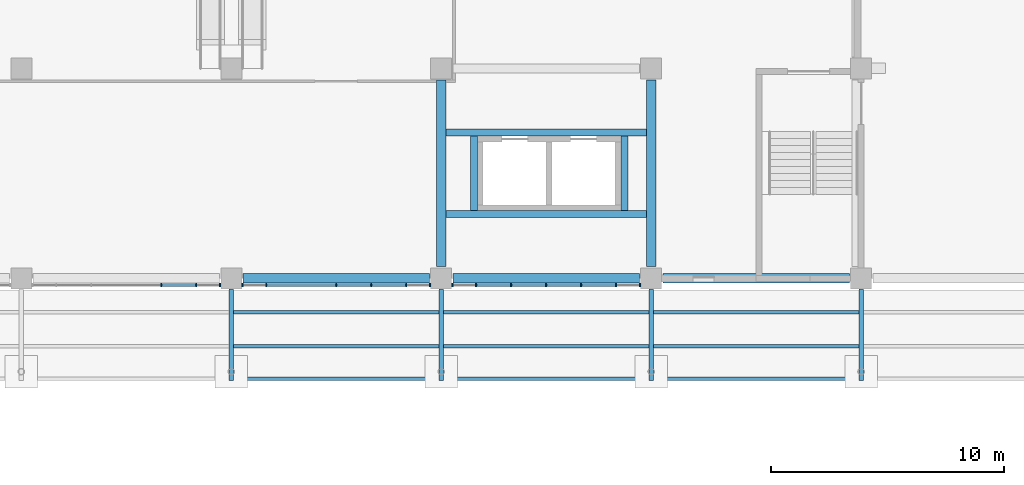
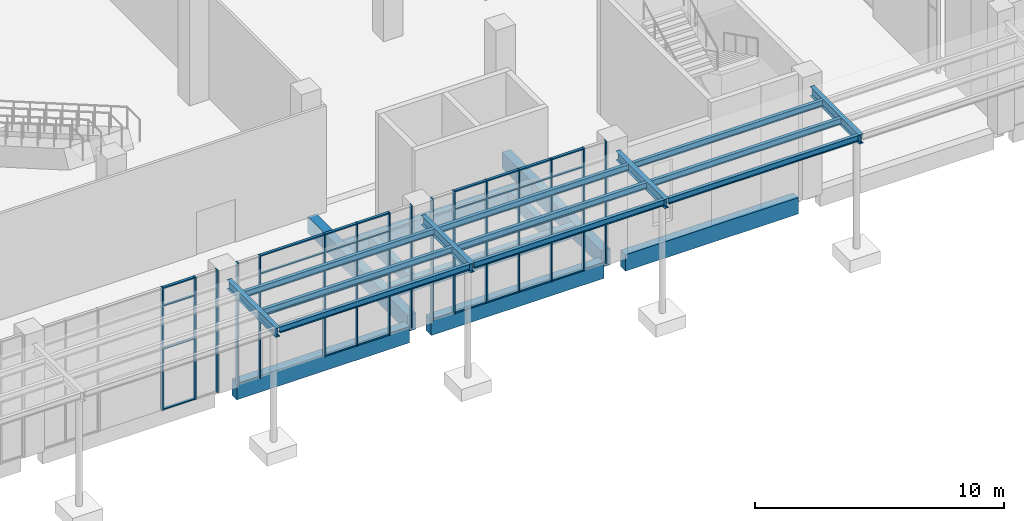
# One storey, part 11 of 86: 47 members, 22 beams, 3 elements without a shape of their own.
"""IFC4 building model written with IfcOpenShell, lengths in metres."""

from ifc_helpers import new_model, si_unit, direction, frame, origin, origin_2d, place, context, subcontext, project, spatial, rectangle, i_section, extrude, material, layer, layer_set, material_profile, profile_set, type_object, element, aggregate, save


model = new_model("IFC4")

# Units and contexts
model_context = context("Model", 3, precision=1e-05, world=origin(), true_north=direction((0.0, 1.0)))
body_context = subcontext(model_context, "Body", "Model", "MODEL_VIEW")
ifc_project = project(units=[si_unit("LENGTHUNIT", "METRE"), si_unit("AREAUNIT", "SQUARE_METRE"), si_unit("VOLUMEUNIT", "CUBIC_METRE"), si_unit("PLANEANGLEUNIT", "RADIAN"), si_unit("MASSUNIT", "GRAM", prefix="KILO")], contexts=[model_context])

# Site, building, storey
site_placement = place(None, origin())
site = spatial("IfcSite", under=ifc_project, at=site_placement, CompositionType="ELEMENT")
building_placement = place(site_placement, origin())
building = spatial("IfcBuilding", under=site, at=building_placement, Name="Guidao Yard Department Store", CompositionType="ELEMENT")
storey_placement = place(building_placement, origin())
storey = spatial("IfcBuildingStorey", under=building, at=storey_placement, Name="L00", CompositionType="ELEMENT", Elevation=0.0)

# Beams
ifc_material_1 = material(Name="Steel Q355B", Category="steel")
ifc_material_profile_1 = material_profile(ifc_material_1, i_section(OverallWidth=0.14990234375, OverallDepth=0.300048828125, WebThickness=0.006591796875, FlangeThickness=0.009033203125, FilletRadius=0.012939453125, at=origin_2d()), Name="HN 300x150x6.5x9")
ifc_profile_set_1 = profile_set([ifc_material_profile_1], Name="Steel Q355B")
beam_type_1 = type_object("IfcBeamType", Name="Canopy beam HN 300x150x6.5x9", PredefinedType="BEAM", material=ifc_profile_set_1)
beam_1_placement = place(storey_placement, frame((36.10009765625, 40.695068359375, 5.300048828125), z_axis=(1.0, 0.0, 0.0), x_axis=(0.0, 1.0, 0.0)))
element("IfcBeam", 1, at=beam_1_placement, inside=storey, type_object=beam_type_1, Name="Canopy edge beam EC-4", PredefinedType="BEAM", context=body_context, shape_type="SweptSolid", body=[
    extrude(i_section(OverallWidth=0.14990234375, OverallDepth=0.300048828125, WebThickness=0.006591796875, FlangeThickness=0.009033203125, FilletRadius=0.012939453125, at=origin_2d()), origin(), (0.0, 0.0, 1.0), 8.7998046875),
])
for number, where, z_axis, x_axis, name in (
    (2, (36.10009765625, 43.5400390625, 5.300048828125), (1.0, 0.0, 0.0), (0.0, 1.0, 0.0), "Canopy joist EC-4.1"),
    (3, (36.10009765625, 42.080078125, 5.300048828125), (1.0, 0.0, 0.0), (0.0, 1.0, 0.0), "Canopy joist EC-4.2"),
):
    element("IfcBeam", number, at=place(storey_placement, frame(where, z_axis=z_axis, x_axis=x_axis)), inside=storey, type_object=beam_type_1, Name=name, PredefinedType="JOIST", context=body_context, shape_type="SweptSolid", body=[
        extrude(i_section(OverallWidth=0.14990234375, OverallDepth=0.300048828125, WebThickness=0.006591796875, FlangeThickness=0.009033203125, FilletRadius=0.012939453125, at=origin_2d()), origin(), (0.0, 0.0, 1.0), 8.7998046875),
    ])
beam_2_placement = place(storey_placement, frame((45.10009765625, 40.695068359375, 5.300048828125), z_axis=(1.0, 0.0, 0.0), x_axis=(0.0, 1.0, 0.0)))
element("IfcBeam", 4, at=beam_2_placement, inside=storey, type_object=beam_type_1, Name="Canopy edge beam EC-5", PredefinedType="BEAM", context=body_context, shape_type="SweptSolid", body=[
    extrude(i_section(OverallWidth=0.14990234375, OverallDepth=0.300048828125, WebThickness=0.006591796875, FlangeThickness=0.009033203125, FilletRadius=0.012939453125, at=origin_2d()), origin(), (0.0, 0.0, 1.0), 8.7998046875),
])
for number, where, z_axis, x_axis, name in (
    (5, (45.10009765625, 43.5400390625, 5.300048828125), (1.0, 0.0, 0.0), (0.0, 1.0, 0.0), "Canopy joist EC-5.1"),
    (6, (45.10009765625, 42.080078125, 5.300048828125), (1.0, 0.0, 0.0), (0.0, 1.0, 0.0), "Canopy joist EC-5.2"),
):
    element("IfcBeam", number, at=place(storey_placement, frame(where, z_axis=z_axis, x_axis=x_axis)), inside=storey, type_object=beam_type_1, Name=name, PredefinedType="JOIST", context=body_context, shape_type="SweptSolid", body=[
        extrude(i_section(OverallWidth=0.14990234375, OverallDepth=0.300048828125, WebThickness=0.006591796875, FlangeThickness=0.009033203125, FilletRadius=0.012939453125, at=origin_2d()), origin(), (0.0, 0.0, 1.0), 8.7998046875),
    ])
beam_3_placement = place(storey_placement, frame((54.10009765625, 40.695068359375, 5.300048828125), z_axis=(1.0, 0.0, 0.0), x_axis=(0.0, 1.0, 0.0)))
element("IfcBeam", 7, at=beam_3_placement, inside=storey, type_object=beam_type_1, Name="Canopy edge beam EC-6", PredefinedType="BEAM", context=body_context, shape_type="SweptSolid", body=[
    extrude(i_section(OverallWidth=0.14990234375, OverallDepth=0.300048828125, WebThickness=0.006591796875, FlangeThickness=0.009033203125, FilletRadius=0.012939453125, at=origin_2d()), origin(), (0.0, 0.0, 1.0), 8.7998046875),
])
for number, where, z_axis, x_axis, name in (
    (8, (54.10009765625, 43.5400390625, 5.300048828125), (1.0, 0.0, 0.0), (0.0, 1.0, 0.0), "Canopy joist EC-6.1"),
    (9, (54.10009765625, 42.080078125, 5.300048828125), (1.0, 0.0, 0.0), (0.0, 1.0, 0.0), "Canopy joist EC-6.2"),
):
    element("IfcBeam", number, at=place(storey_placement, frame(where, z_axis=z_axis, x_axis=x_axis)), inside=storey, type_object=beam_type_1, Name=name, PredefinedType="JOIST", context=body_context, shape_type="SweptSolid", body=[
        extrude(i_section(OverallWidth=0.14990234375, OverallDepth=0.300048828125, WebThickness=0.006591796875, FlangeThickness=0.009033203125, FilletRadius=0.012939453125, at=origin_2d()), origin(), (0.0, 0.0, 1.0), 8.7998046875),
    ])
ifc_material_2 = material(Name="Concrete C40", Category="concrete")
ifc_material_profile_2 = material_profile(ifc_material_2, rectangle(XDim=0.39990234375, YDim=0.800048828125, at=origin_2d()), Name="Edge beam 400 x 800 C40")
ifc_profile_set_2 = profile_set([ifc_material_profile_2], Name="Concrete C40")
beam_type_2 = type_object("IfcBeamType", Name="Edge beam 400 x 800 C40", PredefinedType="BEAM", material=ifc_profile_set_2)
for number, where, z_axis, x_axis, name in (
    (10, (45.0, 45.5, -0.39990234375), (0.0, 1.0, 0.0), (-1.0, 0.0, 0.0), "Beam EB94"),
    (11, (54.0, 45.5, -0.39990234375), (0.0, 1.0, 0.0), (-1.0, 0.0, 0.0), "Beam EB95"),
):
    element("IfcBeam", number, at=place(storey_placement, frame(where, z_axis=z_axis, x_axis=x_axis)), inside=storey, type_object=beam_type_2, Name=name, PredefinedType="BEAM", context=body_context, shape_type="SweptSolid", body=[
        extrude(rectangle(XDim=0.39990234375, YDim=0.800048828125, at=origin_2d()), origin(), (0.0, 0.0, 1.0), 8.0),
    ])
ifc_material_3 = material(Name="Steel Q355B", Category="steel")
ifc_material_profile_3 = material_profile(ifc_material_3, i_section(OverallWidth=0.199951171875, OverallDepth=0.449951171875, WebThickness=0.009033203125, FlangeThickness=0.013916015625, FilletRadius=0.012939453125, at=origin_2d()), Name="HN 450x200x9x14")
ifc_profile_set_3 = profile_set([ifc_material_profile_3], Name="Steel Q355B")
beam_type_3 = type_object("IfcBeamType", Name="HN 450x200x9x14", PredefinedType="BEAM", material=ifc_profile_set_3)
for number, where, z_axis, x_axis, name in (
    (12, (36.0, 40.6201171875, 5.22509765625), (0.0, 1.0, 0.0), (-1.0, 0.0, 0.0), "Canopy beam EC-4"),
    (13, (45.0, 40.6201171875, 5.22509765625), (0.0, 1.0, 0.0), (-1.0, 0.0, 0.0), "Canopy beam EC-5"),
    (14, (54.0, 40.6201171875, 5.22509765625), (0.0, 1.0, 0.0), (-1.0, 0.0, 0.0), "Canopy beam EC-6"),
    (15, (63.0, 40.6201171875, 5.22509765625), (0.0, 1.0, 0.0), (-1.0, 0.0, 0.0), "Canopy beam EC-7"),
):
    element("IfcBeam", number, at=place(storey_placement, frame(where, z_axis=z_axis, x_axis=x_axis)), inside=storey, type_object=beam_type_3, Name=name, PredefinedType="BEAM", context=body_context, shape_type="SweptSolid", body=[
        extrude(i_section(OverallWidth=0.199951171875, OverallDepth=0.449951171875, WebThickness=0.009033203125, FlangeThickness=0.013916015625, FilletRadius=0.012939453125, at=origin_2d()), origin(), (0.0, 0.0, 1.0), 3.929931640625),
    ])

# Curtain wall, members
ifc_material_4 = material(Name="Aluminium and glass", Category="aluminium")
ifc_layer = layer(ifc_material_4, 0.159912109375)
ifc_layer_set = layer_set([ifc_layer], Name="Hall front curtain wall CW2 1500 module")
curtain_wall_type = type_object("IfcCurtainWallType", Name="Hall front curtain wall CW2 1500 module", PredefinedType="NOTDEFINED", material=ifc_layer_set)
curtain_wall_1_placement = place(storey_placement, origin())
curtain_wall_1 = element("IfcCurtainWall", 16, at=curtain_wall_1_placement, inside=storey, type_object=curtain_wall_type, Name="Hall front curtain wall", PredefinedType="NOTDEFINED")
ifc_material_5 = material(Name="Aluminium 6063-T5", Category="aluminium")
ifc_material_profile_4 = material_profile(ifc_material_5, rectangle(XDim=0.06005859375, YDim=0.159912109375, at=origin_2d()), Name="Mullion M1 60 x 160 aluminium pressure plate")
ifc_profile_set_4 = profile_set([ifc_material_profile_4], Name="Aluminium 6063-T5")
member_type_1 = type_object("IfcMemberType", Name="Mullion M1 60 x 160 aluminium pressure plate", PredefinedType="MULLION", material=ifc_profile_set_4)
member_1_placement = place(storey_placement, frame((33.0, 44.719970703125, 0.0), z_axis=(0.0, 0.0, 1.0), x_axis=(-1.0, 0.0, 0.0)))
member_1 = element("IfcMember", 17, at=member_1_placement, type_object=member_type_1, Name="CW-HF-L00-03 mullion 4", PredefinedType="MULLION", context=body_context, shape_type="SweptSolid", body=[
    extrude(rectangle(XDim=0.06005859375, YDim=0.159912109375, at=origin_2d()), origin(), (0.0, 0.0, 1.0), 6.0),
])
member_2_placement = place(storey_placement, frame((34.5, 44.719970703125, 0.0), z_axis=(0.0, 0.0, 1.0), x_axis=(-1.0, 0.0, 0.0)))
member_2 = element("IfcMember", 18, at=member_2_placement, type_object=member_type_1, Name="CW-HF-L00-03 mullion 5", PredefinedType="MULLION", context=body_context, shape_type="SweptSolid", body=[
    extrude(rectangle(XDim=0.06005859375, YDim=0.159912109375, at=origin_2d()), origin(), (0.0, 0.0, 1.0), 6.0),
])
member_3_placement = place(storey_placement, frame((35.52001953125, 44.719970703125, 0.0), z_axis=(0.0, 0.0, 1.0), x_axis=(-1.0, 0.0, 0.0)))
member_3 = element("IfcMember", 19, at=member_3_placement, type_object=member_type_1, Name="CW-HF-L00-03 mullion 6", PredefinedType="MULLION", context=body_context, shape_type="SweptSolid", body=[
    extrude(rectangle(XDim=0.06005859375, YDim=0.159912109375, at=origin_2d()), origin(), (0.0, 0.0, 1.0), 6.0),
])

curtain_wall_2_placement = place(storey_placement, origin())
curtain_wall_2 = element("IfcCurtainWall", 20, at=curtain_wall_2_placement, inside=storey, type_object=curtain_wall_type, Name="Hall front curtain wall", PredefinedType="NOTDEFINED")
member_4_placement = place(storey_placement, frame((36.47998046875, 44.719970703125, 0.0), z_axis=(0.0, 0.0, 1.0), x_axis=(-1.0, 0.0, 0.0)))
member_4 = element("IfcMember", 21, at=member_4_placement, type_object=member_type_1, Name="CW-HF-L00-04 mullion 1", PredefinedType="MULLION", context=body_context, shape_type="SweptSolid", body=[
    extrude(rectangle(XDim=0.06005859375, YDim=0.159912109375, at=origin_2d()), origin(), (0.0, 0.0, 1.0), 6.0),
])
member_5_placement = place(storey_placement, frame((37.5, 44.719970703125, 0.0), z_axis=(0.0, 0.0, 1.0), x_axis=(-1.0, 0.0, 0.0)))
member_5 = element("IfcMember", 22, at=member_5_placement, type_object=member_type_1, Name="CW-HF-L00-04 mullion 2", PredefinedType="MULLION", context=body_context, shape_type="SweptSolid", body=[
    extrude(rectangle(XDim=0.06005859375, YDim=0.159912109375, at=origin_2d()), origin(), (0.0, 0.0, 1.0), 6.0),
])
member_6_placement = place(storey_placement, frame((40.5, 44.719970703125, 0.0), z_axis=(0.0, 0.0, 1.0), x_axis=(-1.0, 0.0, 0.0)))
member_6 = element("IfcMember", 23, at=member_6_placement, type_object=member_type_1, Name="CW-HF-L00-04 mullion 3", PredefinedType="MULLION", context=body_context, shape_type="SweptSolid", body=[
    extrude(rectangle(XDim=0.06005859375, YDim=0.159912109375, at=origin_2d()), origin(), (0.0, 0.0, 1.0), 6.0),
])
member_7_placement = place(storey_placement, frame((42.0, 44.719970703125, 0.0), z_axis=(0.0, 0.0, 1.0), x_axis=(-1.0, 0.0, 0.0)))
member_7 = element("IfcMember", 24, at=member_7_placement, type_object=member_type_1, Name="CW-HF-L00-04 mullion 4", PredefinedType="MULLION", context=body_context, shape_type="SweptSolid", body=[
    extrude(rectangle(XDim=0.06005859375, YDim=0.159912109375, at=origin_2d()), origin(), (0.0, 0.0, 1.0), 6.0),
])
member_8_placement = place(storey_placement, frame((43.5, 44.719970703125, 0.0), z_axis=(0.0, 0.0, 1.0), x_axis=(-1.0, 0.0, 0.0)))
member_8 = element("IfcMember", 25, at=member_8_placement, type_object=member_type_1, Name="CW-HF-L00-04 mullion 5", PredefinedType="MULLION", context=body_context, shape_type="SweptSolid", body=[
    extrude(rectangle(XDim=0.06005859375, YDim=0.159912109375, at=origin_2d()), origin(), (0.0, 0.0, 1.0), 6.0),
])
member_9_placement = place(storey_placement, frame((44.52001953125, 44.719970703125, 0.0), z_axis=(0.0, 0.0, 1.0), x_axis=(-1.0, 0.0, 0.0)))
member_9 = element("IfcMember", 26, at=member_9_placement, type_object=member_type_1, Name="CW-HF-L00-04 mullion 6", PredefinedType="MULLION", context=body_context, shape_type="SweptSolid", body=[
    extrude(rectangle(XDim=0.06005859375, YDim=0.159912109375, at=origin_2d()), origin(), (0.0, 0.0, 1.0), 6.0),
])

curtain_wall_3_placement = place(storey_placement, origin())
curtain_wall_3 = element("IfcCurtainWall", 27, at=curtain_wall_3_placement, inside=storey, type_object=curtain_wall_type, Name="Hall front curtain wall", PredefinedType="NOTDEFINED")
member_10_placement = place(storey_placement, frame((45.47998046875, 44.719970703125, 0.0), z_axis=(0.0, 0.0, 1.0), x_axis=(-1.0, 0.0, 0.0)))
member_10 = element("IfcMember", 28, at=member_10_placement, type_object=member_type_1, Name="CW-HF-L00-05 mullion 1", PredefinedType="MULLION", context=body_context, shape_type="SweptSolid", body=[
    extrude(rectangle(XDim=0.06005859375, YDim=0.159912109375, at=origin_2d()), origin(), (0.0, 0.0, 1.0), 6.0),
])
member_11_placement = place(storey_placement, frame((46.5, 44.719970703125, 0.0), z_axis=(0.0, 0.0, 1.0), x_axis=(-1.0, 0.0, 0.0)))
member_11 = element("IfcMember", 29, at=member_11_placement, type_object=member_type_1, Name="CW-HF-L00-05 mullion 2", PredefinedType="MULLION", context=body_context, shape_type="SweptSolid", body=[
    extrude(rectangle(XDim=0.06005859375, YDim=0.159912109375, at=origin_2d()), origin(), (0.0, 0.0, 1.0), 6.0),
])
member_12_placement = place(storey_placement, frame((48.0, 44.719970703125, 0.0), z_axis=(0.0, 0.0, 1.0), x_axis=(-1.0, 0.0, 0.0)))
member_12 = element("IfcMember", 30, at=member_12_placement, type_object=member_type_1, Name="CW-HF-L00-05 mullion 3", PredefinedType="MULLION", context=body_context, shape_type="SweptSolid", body=[
    extrude(rectangle(XDim=0.06005859375, YDim=0.159912109375, at=origin_2d()), origin(), (0.0, 0.0, 1.0), 6.0),
])
member_13_placement = place(storey_placement, frame((49.5, 44.719970703125, 0.0), z_axis=(0.0, 0.0, 1.0), x_axis=(-1.0, 0.0, 0.0)))
member_13 = element("IfcMember", 31, at=member_13_placement, type_object=member_type_1, Name="CW-HF-L00-05 mullion 4", PredefinedType="MULLION", context=body_context, shape_type="SweptSolid", body=[
    extrude(rectangle(XDim=0.06005859375, YDim=0.159912109375, at=origin_2d()), origin(), (0.0, 0.0, 1.0), 6.0),
])
member_14_placement = place(storey_placement, frame((51.0, 44.719970703125, 0.0), z_axis=(0.0, 0.0, 1.0), x_axis=(-1.0, 0.0, 0.0)))
member_14 = element("IfcMember", 32, at=member_14_placement, type_object=member_type_1, Name="CW-HF-L00-05 mullion 5", PredefinedType="MULLION", context=body_context, shape_type="SweptSolid", body=[
    extrude(rectangle(XDim=0.06005859375, YDim=0.159912109375, at=origin_2d()), origin(), (0.0, 0.0, 1.0), 6.0),
])
member_15_placement = place(storey_placement, frame((52.5, 44.719970703125, 0.0), z_axis=(0.0, 0.0, 1.0), x_axis=(-1.0, 0.0, 0.0)))
member_15 = element("IfcMember", 33, at=member_15_placement, type_object=member_type_1, Name="CW-HF-L00-05 mullion 6", PredefinedType="MULLION", context=body_context, shape_type="SweptSolid", body=[
    extrude(rectangle(XDim=0.06005859375, YDim=0.159912109375, at=origin_2d()), origin(), (0.0, 0.0, 1.0), 6.0),
])
member_16_placement = place(storey_placement, frame((53.52001953125, 44.719970703125, 0.0), z_axis=(0.0, 0.0, 1.0), x_axis=(-1.0, 0.0, 0.0)))
member_16 = element("IfcMember", 34, at=member_16_placement, type_object=member_type_1, Name="CW-HF-L00-05 mullion 7", PredefinedType="MULLION", context=body_context, shape_type="SweptSolid", body=[
    extrude(rectangle(XDim=0.06005859375, YDim=0.159912109375, at=origin_2d()), origin(), (0.0, 0.0, 1.0), 6.0),
])

# Beams
ifc_material_6 = material(Name="Concrete C40", Category="concrete")
ifc_material_profile_5 = material_profile(ifc_material_6, rectangle(XDim=0.300048828125, YDim=0.60009765625, at=origin_2d()), Name="Opening beam 300 x 600 C40")
ifc_profile_set_5 = profile_set([ifc_material_profile_5], Name="Concrete C40")
beam_type_4 = type_object("IfcBeamType", Name="Opening beam 300 x 600 C40", PredefinedType="BEAM", material=ifc_profile_set_5)
for number, where, z_axis, x_axis, name in (
    (35, (45.199951171875, 47.75, -0.300048828125), (1.0, 0.0, 0.0), (0.0, 1.0, 0.0), "Beam OB05"),
    (36, (45.199951171875, 51.25, -0.300048828125), (1.0, 0.0, 0.0), (0.0, 1.0, 0.0), "Beam OB06"),
):
    element("IfcBeam", number, at=place(storey_placement, frame(where, z_axis=z_axis, x_axis=x_axis)), inside=storey, type_object=beam_type_4, Name=name, PredefinedType="BEAM", context=body_context, shape_type="SweptSolid", body=[
        extrude(rectangle(XDim=0.300048828125, YDim=0.60009765625, at=origin_2d()), origin(), (0.0, 0.0, 1.0), 8.60009765625),
    ])
for number, where, z_axis, x_axis, name in (
    (37, (46.39990234375, 47.89990234375, -0.300048828125), (0.0, 1.0, 0.0), (-1.0, 0.0, 0.0), "Beam OB07"),
    (38, (52.85009765625, 47.89990234375, -0.300048828125), (0.0, 1.0, 0.0), (-1.0, 0.0, 0.0), "Beam OB08"),
):
    element("IfcBeam", number, at=place(storey_placement, frame(where, z_axis=z_axis, x_axis=x_axis)), inside=storey, type_object=beam_type_4, Name=name, PredefinedType="BEAM", context=body_context, shape_type="SweptSolid", body=[
        extrude(rectangle(XDim=0.300048828125, YDim=0.60009765625, at=origin_2d()), origin(), (0.0, 0.0, 1.0), 3.2001953125),
    ])
ifc_material_7 = material(Name="Concrete C40", Category="concrete")
ifc_material_profile_6 = material_profile(ifc_material_7, rectangle(XDim=0.39990234375, YDim=0.800048828125, at=origin_2d()), Name="Spandrel beam 400 x 800 C40")
ifc_profile_set_6 = profile_set([ifc_material_profile_6], Name="Concrete C40")
beam_type_5 = type_object("IfcBeamType", Name="Spandrel beam 400 x 800 C40", PredefinedType="SPANDREL", material=ifc_profile_set_6)
for number, where, z_axis, x_axis, name in (
    (39, (36.5, 45.0, -0.39990234375), (1.0, 0.0, 0.0), (0.0, 1.0, 0.0), "Beam EB29"),
    (40, (45.5, 45.0, -0.39990234375), (1.0, 0.0, 0.0), (0.0, 1.0, 0.0), "Beam EB30"),
    (41, (54.5, 45.0, -0.39990234375), (1.0, 0.0, 0.0), (0.0, 1.0, 0.0), "Beam EB31"),
):
    element("IfcBeam", number, at=place(storey_placement, frame(where, z_axis=z_axis, x_axis=x_axis)), inside=storey, type_object=beam_type_5, Name=name, PredefinedType="SPANDREL", context=body_context, shape_type="SweptSolid", body=[
        extrude(rectangle(XDim=0.39990234375, YDim=0.800048828125, at=origin_2d()), origin(), (0.0, 0.0, 1.0), 8.0),
    ])

# Member
ifc_material_8 = material(Name="Aluminium 6063-T5", Category="aluminium")
ifc_material_profile_7 = material_profile(ifc_material_8, rectangle(XDim=0.1201171875, YDim=0.06005859375, at=origin_2d()), Name="Transom T1 60 x 120 aluminium pressure plate")
ifc_profile_set_7 = profile_set([ifc_material_profile_7], Name="Aluminium 6063-T5")
member_type_2 = type_object("IfcMemberType", Name="Transom T1 60 x 120 aluminium pressure plate", PredefinedType="USERDEFINED", material=ifc_profile_set_7)
member_17_placement = place(storey_placement, frame((34.469970703125, 44.719970703125, 0.030029296875), z_axis=(-1.0, 0.0, 0.0), x_axis=(0.0, -1.0, 0.0)))
member_17 = element("IfcMember", 42, at=member_17_placement, type_object=member_type_2, Name="CW-HF-L00-03 transom 4.1", ObjectType="TRANSOM", PredefinedType="USERDEFINED", context=body_context, shape_type="SweptSolid", body=[
    extrude(rectangle(XDim=0.1201171875, YDim=0.06005859375, at=origin_2d()), origin(), (0.0, 0.0, 1.0), 1.43994140625),
])

member_18_placement = place(storey_placement, frame((34.469970703125, 44.719970703125, 3.0), z_axis=(-1.0, 0.0, 0.0), x_axis=(0.0, -1.0, 0.0)))
member_18 = element("IfcMember", 43, at=member_18_placement, type_object=member_type_2, Name="CW-HF-L00-03 transom 4.2", ObjectType="TRANSOM", PredefinedType="USERDEFINED", context=body_context, shape_type="SweptSolid", body=[
    extrude(rectangle(XDim=0.1201171875, YDim=0.06005859375, at=origin_2d()), origin(), (0.0, 0.0, 1.0), 1.43994140625),
])

member_19_placement = place(storey_placement, frame((34.469970703125, 44.719970703125, 5.10009765625), z_axis=(-1.0, 0.0, 0.0), x_axis=(0.0, -1.0, 0.0)))
member_19 = element("IfcMember", 44, at=member_19_placement, type_object=member_type_2, Name="CW-HF-L00-03 transom 4.3", ObjectType="TRANSOM", PredefinedType="USERDEFINED", context=body_context, shape_type="SweptSolid", body=[
    extrude(rectangle(XDim=0.1201171875, YDim=0.06005859375, at=origin_2d()), origin(), (0.0, 0.0, 1.0), 1.43994140625),
])

member_20_placement = place(storey_placement, frame((34.469970703125, 44.719970703125, 5.969970703125), z_axis=(-1.0, 0.0, 0.0), x_axis=(0.0, -1.0, 0.0)))
member_20 = element("IfcMember", 45, at=member_20_placement, type_object=member_type_2, Name="CW-HF-L00-03 transom 4.4", ObjectType="TRANSOM", PredefinedType="USERDEFINED", context=body_context, shape_type="SweptSolid", body=[
    extrude(rectangle(XDim=0.1201171875, YDim=0.06005859375, at=origin_2d()), origin(), (0.0, 0.0, 1.0), 1.43994140625),
])

aggregate(curtain_wall_1, [member_1, member_2, member_3, member_17, member_18, member_19, member_20])

member_21_placement = place(storey_placement, frame((40.469970703125, 44.719970703125, 3.0), z_axis=(-1.0, 0.0, 0.0), x_axis=(0.0, -1.0, 0.0)))
member_21 = element("IfcMember", 46, at=member_21_placement, type_object=member_type_2, Name="CW-HF-L00-04 transom 2.2", ObjectType="TRANSOM", PredefinedType="USERDEFINED", context=body_context, shape_type="SweptSolid", body=[
    extrude(rectangle(XDim=0.1201171875, YDim=0.06005859375, at=origin_2d()), origin(), (0.0, 0.0, 1.0), 2.93994140625),
])

member_22_placement = place(storey_placement, frame((40.469970703125, 44.719970703125, 5.10009765625), z_axis=(-1.0, 0.0, 0.0), x_axis=(0.0, -1.0, 0.0)))
member_22 = element("IfcMember", 47, at=member_22_placement, type_object=member_type_2, Name="CW-HF-L00-04 transom 2.3", ObjectType="TRANSOM", PredefinedType="USERDEFINED", context=body_context, shape_type="SweptSolid", body=[
    extrude(rectangle(XDim=0.1201171875, YDim=0.06005859375, at=origin_2d()), origin(), (0.0, 0.0, 1.0), 2.93994140625),
])

member_23_placement = place(storey_placement, frame((40.469970703125, 44.719970703125, 5.969970703125), z_axis=(-1.0, 0.0, 0.0), x_axis=(0.0, -1.0, 0.0)))
member_23 = element("IfcMember", 48, at=member_23_placement, type_object=member_type_2, Name="CW-HF-L00-04 transom 2.4", ObjectType="TRANSOM", PredefinedType="USERDEFINED", context=body_context, shape_type="SweptSolid", body=[
    extrude(rectangle(XDim=0.1201171875, YDim=0.06005859375, at=origin_2d()), origin(), (0.0, 0.0, 1.0), 2.93994140625),
])

member_24_placement = place(storey_placement, frame((41.969970703125, 44.719970703125, 0.030029296875), z_axis=(-1.0, 0.0, 0.0), x_axis=(0.0, -1.0, 0.0)))
member_24 = element("IfcMember", 49, at=member_24_placement, type_object=member_type_2, Name="CW-HF-L00-04 transom 3.1", ObjectType="TRANSOM", PredefinedType="USERDEFINED", context=body_context, shape_type="SweptSolid", body=[
    extrude(rectangle(XDim=0.1201171875, YDim=0.06005859375, at=origin_2d()), origin(), (0.0, 0.0, 1.0), 1.43994140625),
])

member_25_placement = place(storey_placement, frame((41.969970703125, 44.719970703125, 3.0), z_axis=(-1.0, 0.0, 0.0), x_axis=(0.0, -1.0, 0.0)))
member_25 = element("IfcMember", 50, at=member_25_placement, type_object=member_type_2, Name="CW-HF-L00-04 transom 3.2", ObjectType="TRANSOM", PredefinedType="USERDEFINED", context=body_context, shape_type="SweptSolid", body=[
    extrude(rectangle(XDim=0.1201171875, YDim=0.06005859375, at=origin_2d()), origin(), (0.0, 0.0, 1.0), 1.43994140625),
])

member_26_placement = place(storey_placement, frame((41.969970703125, 44.719970703125, 5.10009765625), z_axis=(-1.0, 0.0, 0.0), x_axis=(0.0, -1.0, 0.0)))
member_26 = element("IfcMember", 51, at=member_26_placement, type_object=member_type_2, Name="CW-HF-L00-04 transom 3.3", ObjectType="TRANSOM", PredefinedType="USERDEFINED", context=body_context, shape_type="SweptSolid", body=[
    extrude(rectangle(XDim=0.1201171875, YDim=0.06005859375, at=origin_2d()), origin(), (0.0, 0.0, 1.0), 1.43994140625),
])

member_27_placement = place(storey_placement, frame((41.969970703125, 44.719970703125, 5.969970703125), z_axis=(-1.0, 0.0, 0.0), x_axis=(0.0, -1.0, 0.0)))
member_27 = element("IfcMember", 52, at=member_27_placement, type_object=member_type_2, Name="CW-HF-L00-04 transom 3.4", ObjectType="TRANSOM", PredefinedType="USERDEFINED", context=body_context, shape_type="SweptSolid", body=[
    extrude(rectangle(XDim=0.1201171875, YDim=0.06005859375, at=origin_2d()), origin(), (0.0, 0.0, 1.0), 1.43994140625),
])

member_28_placement = place(storey_placement, frame((43.469970703125, 44.719970703125, 0.030029296875), z_axis=(-1.0, 0.0, 0.0), x_axis=(0.0, -1.0, 0.0)))
member_28 = element("IfcMember", 53, at=member_28_placement, type_object=member_type_2, Name="CW-HF-L00-04 transom 4.1", ObjectType="TRANSOM", PredefinedType="USERDEFINED", context=body_context, shape_type="SweptSolid", body=[
    extrude(rectangle(XDim=0.1201171875, YDim=0.06005859375, at=origin_2d()), origin(), (0.0, 0.0, 1.0), 1.43994140625),
])

member_29_placement = place(storey_placement, frame((43.469970703125, 44.719970703125, 3.0), z_axis=(-1.0, 0.0, 0.0), x_axis=(0.0, -1.0, 0.0)))
member_29 = element("IfcMember", 54, at=member_29_placement, type_object=member_type_2, Name="CW-HF-L00-04 transom 4.2", ObjectType="TRANSOM", PredefinedType="USERDEFINED", context=body_context, shape_type="SweptSolid", body=[
    extrude(rectangle(XDim=0.1201171875, YDim=0.06005859375, at=origin_2d()), origin(), (0.0, 0.0, 1.0), 1.43994140625),
])

member_30_placement = place(storey_placement, frame((43.469970703125, 44.719970703125, 5.10009765625), z_axis=(-1.0, 0.0, 0.0), x_axis=(0.0, -1.0, 0.0)))
member_30 = element("IfcMember", 55, at=member_30_placement, type_object=member_type_2, Name="CW-HF-L00-04 transom 4.3", ObjectType="TRANSOM", PredefinedType="USERDEFINED", context=body_context, shape_type="SweptSolid", body=[
    extrude(rectangle(XDim=0.1201171875, YDim=0.06005859375, at=origin_2d()), origin(), (0.0, 0.0, 1.0), 1.43994140625),
])

member_31_placement = place(storey_placement, frame((43.469970703125, 44.719970703125, 5.969970703125), z_axis=(-1.0, 0.0, 0.0), x_axis=(0.0, -1.0, 0.0)))
member_31 = element("IfcMember", 56, at=member_31_placement, type_object=member_type_2, Name="CW-HF-L00-04 transom 4.4", ObjectType="TRANSOM", PredefinedType="USERDEFINED", context=body_context, shape_type="SweptSolid", body=[
    extrude(rectangle(XDim=0.1201171875, YDim=0.06005859375, at=origin_2d()), origin(), (0.0, 0.0, 1.0), 1.43994140625),
])

aggregate(curtain_wall_2, [member_4, member_5, member_6, member_7, member_8, member_9, member_21, member_22, member_23, member_24, member_25, member_26, member_27, member_28, member_29, member_30, member_31])

member_32_placement = place(storey_placement, frame((47.969970703125, 44.719970703125, 0.030029296875), z_axis=(-1.0, 0.0, 0.0), x_axis=(0.0, -1.0, 0.0)))
member_32 = element("IfcMember", 57, at=member_32_placement, type_object=member_type_2, Name="CW-HF-L00-05 transom 2.1", ObjectType="TRANSOM", PredefinedType="USERDEFINED", context=body_context, shape_type="SweptSolid", body=[
    extrude(rectangle(XDim=0.1201171875, YDim=0.06005859375, at=origin_2d()), origin(), (0.0, 0.0, 1.0), 1.43994140625),
])

member_33_placement = place(storey_placement, frame((47.969970703125, 44.719970703125, 3.0), z_axis=(-1.0, 0.0, 0.0), x_axis=(0.0, -1.0, 0.0)))
member_33 = element("IfcMember", 58, at=member_33_placement, type_object=member_type_2, Name="CW-HF-L00-05 transom 2.2", ObjectType="TRANSOM", PredefinedType="USERDEFINED", context=body_context, shape_type="SweptSolid", body=[
    extrude(rectangle(XDim=0.1201171875, YDim=0.06005859375, at=origin_2d()), origin(), (0.0, 0.0, 1.0), 1.43994140625),
])

member_34_placement = place(storey_placement, frame((47.969970703125, 44.719970703125, 5.10009765625), z_axis=(-1.0, 0.0, 0.0), x_axis=(0.0, -1.0, 0.0)))
member_34 = element("IfcMember", 59, at=member_34_placement, type_object=member_type_2, Name="CW-HF-L00-05 transom 2.3", ObjectType="TRANSOM", PredefinedType="USERDEFINED", context=body_context, shape_type="SweptSolid", body=[
    extrude(rectangle(XDim=0.1201171875, YDim=0.06005859375, at=origin_2d()), origin(), (0.0, 0.0, 1.0), 1.43994140625),
])

member_35_placement = place(storey_placement, frame((47.969970703125, 44.719970703125, 5.969970703125), z_axis=(-1.0, 0.0, 0.0), x_axis=(0.0, -1.0, 0.0)))
member_35 = element("IfcMember", 60, at=member_35_placement, type_object=member_type_2, Name="CW-HF-L00-05 transom 2.4", ObjectType="TRANSOM", PredefinedType="USERDEFINED", context=body_context, shape_type="SweptSolid", body=[
    extrude(rectangle(XDim=0.1201171875, YDim=0.06005859375, at=origin_2d()), origin(), (0.0, 0.0, 1.0), 1.43994140625),
])

member_36_placement = place(storey_placement, frame((49.469970703125, 44.719970703125, 0.030029296875), z_axis=(-1.0, 0.0, 0.0), x_axis=(0.0, -1.0, 0.0)))
member_36 = element("IfcMember", 61, at=member_36_placement, type_object=member_type_2, Name="CW-HF-L00-05 transom 3.1", ObjectType="TRANSOM", PredefinedType="USERDEFINED", context=body_context, shape_type="SweptSolid", body=[
    extrude(rectangle(XDim=0.1201171875, YDim=0.06005859375, at=origin_2d()), origin(), (0.0, 0.0, 1.0), 1.43994140625),
])

member_37_placement = place(storey_placement, frame((49.469970703125, 44.719970703125, 3.0), z_axis=(-1.0, 0.0, 0.0), x_axis=(0.0, -1.0, 0.0)))
member_37 = element("IfcMember", 62, at=member_37_placement, type_object=member_type_2, Name="CW-HF-L00-05 transom 3.2", ObjectType="TRANSOM", PredefinedType="USERDEFINED", context=body_context, shape_type="SweptSolid", body=[
    extrude(rectangle(XDim=0.1201171875, YDim=0.06005859375, at=origin_2d()), origin(), (0.0, 0.0, 1.0), 1.43994140625),
])

member_38_placement = place(storey_placement, frame((49.469970703125, 44.719970703125, 5.10009765625), z_axis=(-1.0, 0.0, 0.0), x_axis=(0.0, -1.0, 0.0)))
member_38 = element("IfcMember", 63, at=member_38_placement, type_object=member_type_2, Name="CW-HF-L00-05 transom 3.3", ObjectType="TRANSOM", PredefinedType="USERDEFINED", context=body_context, shape_type="SweptSolid", body=[
    extrude(rectangle(XDim=0.1201171875, YDim=0.06005859375, at=origin_2d()), origin(), (0.0, 0.0, 1.0), 1.43994140625),
])

member_39_placement = place(storey_placement, frame((49.469970703125, 44.719970703125, 5.969970703125), z_axis=(-1.0, 0.0, 0.0), x_axis=(0.0, -1.0, 0.0)))
member_39 = element("IfcMember", 64, at=member_39_placement, type_object=member_type_2, Name="CW-HF-L00-05 transom 3.4", ObjectType="TRANSOM", PredefinedType="USERDEFINED", context=body_context, shape_type="SweptSolid", body=[
    extrude(rectangle(XDim=0.1201171875, YDim=0.06005859375, at=origin_2d()), origin(), (0.0, 0.0, 1.0), 1.43994140625),
])

member_40_placement = place(storey_placement, frame((50.969970703125, 44.719970703125, 0.030029296875), z_axis=(-1.0, 0.0, 0.0), x_axis=(0.0, -1.0, 0.0)))
member_40 = element("IfcMember", 65, at=member_40_placement, type_object=member_type_2, Name="CW-HF-L00-05 transom 4.1", ObjectType="TRANSOM", PredefinedType="USERDEFINED", context=body_context, shape_type="SweptSolid", body=[
    extrude(rectangle(XDim=0.1201171875, YDim=0.06005859375, at=origin_2d()), origin(), (0.0, 0.0, 1.0), 1.43994140625),
])

member_41_placement = place(storey_placement, frame((50.969970703125, 44.719970703125, 3.0), z_axis=(-1.0, 0.0, 0.0), x_axis=(0.0, -1.0, 0.0)))
member_41 = element("IfcMember", 66, at=member_41_placement, type_object=member_type_2, Name="CW-HF-L00-05 transom 4.2", ObjectType="TRANSOM", PredefinedType="USERDEFINED", context=body_context, shape_type="SweptSolid", body=[
    extrude(rectangle(XDim=0.1201171875, YDim=0.06005859375, at=origin_2d()), origin(), (0.0, 0.0, 1.0), 1.43994140625),
])

member_42_placement = place(storey_placement, frame((50.969970703125, 44.719970703125, 5.10009765625), z_axis=(-1.0, 0.0, 0.0), x_axis=(0.0, -1.0, 0.0)))
member_42 = element("IfcMember", 67, at=member_42_placement, type_object=member_type_2, Name="CW-HF-L00-05 transom 4.3", ObjectType="TRANSOM", PredefinedType="USERDEFINED", context=body_context, shape_type="SweptSolid", body=[
    extrude(rectangle(XDim=0.1201171875, YDim=0.06005859375, at=origin_2d()), origin(), (0.0, 0.0, 1.0), 1.43994140625),
])

member_43_placement = place(storey_placement, frame((50.969970703125, 44.719970703125, 5.969970703125), z_axis=(-1.0, 0.0, 0.0), x_axis=(0.0, -1.0, 0.0)))
member_43 = element("IfcMember", 68, at=member_43_placement, type_object=member_type_2, Name="CW-HF-L00-05 transom 4.4", ObjectType="TRANSOM", PredefinedType="USERDEFINED", context=body_context, shape_type="SweptSolid", body=[
    extrude(rectangle(XDim=0.1201171875, YDim=0.06005859375, at=origin_2d()), origin(), (0.0, 0.0, 1.0), 1.43994140625),
])

member_44_placement = place(storey_placement, frame((52.469970703125, 44.719970703125, 0.030029296875), z_axis=(-1.0, 0.0, 0.0), x_axis=(0.0, -1.0, 0.0)))
member_44 = element("IfcMember", 69, at=member_44_placement, type_object=member_type_2, Name="CW-HF-L00-05 transom 5.1", ObjectType="TRANSOM", PredefinedType="USERDEFINED", context=body_context, shape_type="SweptSolid", body=[
    extrude(rectangle(XDim=0.1201171875, YDim=0.06005859375, at=origin_2d()), origin(), (0.0, 0.0, 1.0), 1.43994140625),
])

member_45_placement = place(storey_placement, frame((52.469970703125, 44.719970703125, 3.0), z_axis=(-1.0, 0.0, 0.0), x_axis=(0.0, -1.0, 0.0)))
member_45 = element("IfcMember", 70, at=member_45_placement, type_object=member_type_2, Name="CW-HF-L00-05 transom 5.2", ObjectType="TRANSOM", PredefinedType="USERDEFINED", context=body_context, shape_type="SweptSolid", body=[
    extrude(rectangle(XDim=0.1201171875, YDim=0.06005859375, at=origin_2d()), origin(), (0.0, 0.0, 1.0), 1.43994140625),
])

member_46_placement = place(storey_placement, frame((52.469970703125, 44.719970703125, 5.10009765625), z_axis=(-1.0, 0.0, 0.0), x_axis=(0.0, -1.0, 0.0)))
member_46 = element("IfcMember", 71, at=member_46_placement, type_object=member_type_2, Name="CW-HF-L00-05 transom 5.3", ObjectType="TRANSOM", PredefinedType="USERDEFINED", context=body_context, shape_type="SweptSolid", body=[
    extrude(rectangle(XDim=0.1201171875, YDim=0.06005859375, at=origin_2d()), origin(), (0.0, 0.0, 1.0), 1.43994140625),
])

member_47_placement = place(storey_placement, frame((52.469970703125, 44.719970703125, 5.969970703125), z_axis=(-1.0, 0.0, 0.0), x_axis=(0.0, -1.0, 0.0)))
member_47 = element("IfcMember", 72, at=member_47_placement, type_object=member_type_2, Name="CW-HF-L00-05 transom 5.4", ObjectType="TRANSOM", PredefinedType="USERDEFINED", context=body_context, shape_type="SweptSolid", body=[
    extrude(rectangle(XDim=0.1201171875, YDim=0.06005859375, at=origin_2d()), origin(), (0.0, 0.0, 1.0), 1.43994140625),
])

aggregate(curtain_wall_3, [member_10, member_11, member_12, member_13, member_14, member_15, member_16, member_32, member_33, member_34, member_35, member_36, member_37, member_38, member_39, member_40, member_41, member_42, member_43, member_44, member_45, member_46, member_47])

save(model, "model.ifc")
